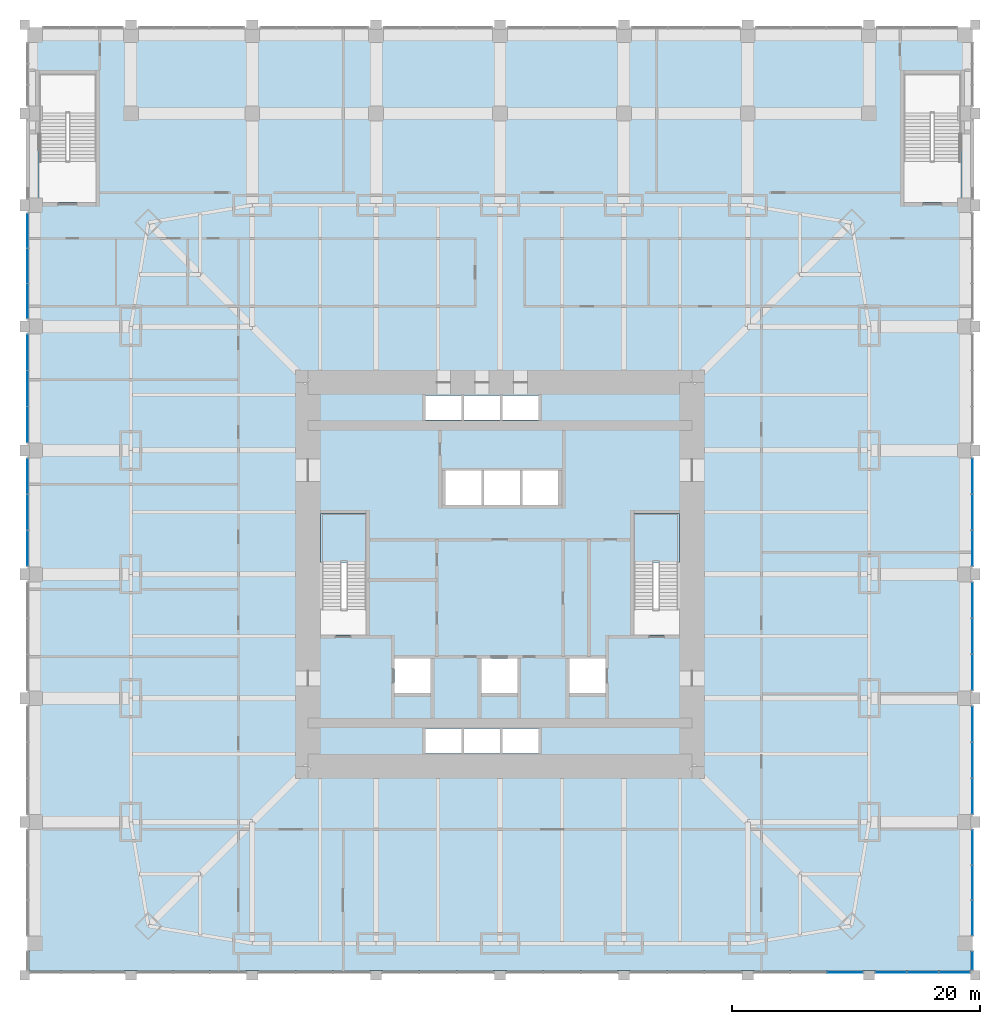
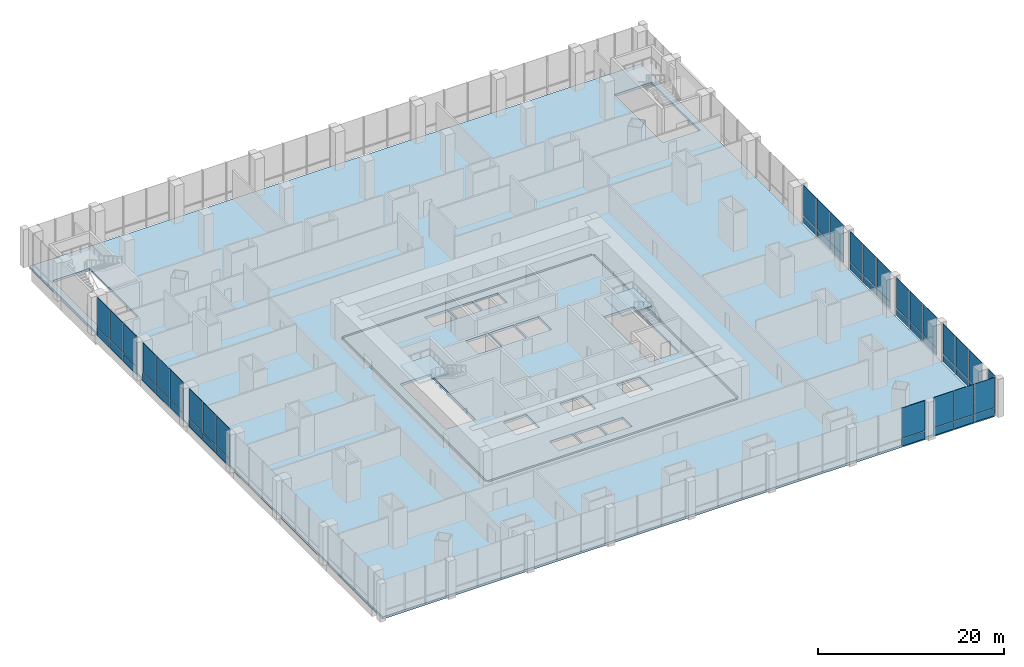
# One storey, part 14 of 24: 52 plates, 4 slabs, 12 elements without a shape of their own.
"""IFC4 building model written with IfcOpenShell, lengths in metres."""

from ifc_helpers import new_model, si_unit, direction, frame, origin, origin_2d, place, context, subcontext, project, spatial, polyline, rectangle, outline, extrude, material, layer, layer_set, type_object, element, aggregate, save


model = new_model("IFC4")

# Units and contexts
model_context = context("Model", 3, precision=1e-05, world=origin(), true_north=direction((0.0, 1.0)))
body_context = subcontext(model_context, "Body", "Model", "MODEL_VIEW")
ifc_project = project(units=[si_unit("LENGTHUNIT", "METRE"), si_unit("AREAUNIT", "SQUARE_METRE"), si_unit("VOLUMEUNIT", "CUBIC_METRE"), si_unit("PLANEANGLEUNIT", "RADIAN"), si_unit("MASSUNIT", "GRAM", prefix="KILO")], contexts=[model_context])

# Site, building, storey
site_placement = place(None, origin())
site = spatial("IfcSite", under=ifc_project, at=site_placement, CompositionType="ELEMENT")
building_placement = place(site_placement, origin())
building = spatial("IfcBuilding", under=site, at=building_placement, Name="Khuree Lantern Residences", CompositionType="ELEMENT")
storey_placement = place(building_placement, frame((0.0, 0.0, 11.0)))
storey = spatial("IfcBuildingStorey", under=building, at=storey_placement, Name="L02", CompositionType="ELEMENT", Elevation=11.0)

# Slabs
ifc_material_1 = material(Name="Concrete C35/45", Category="concrete")
ifc_layer_1 = layer(ifc_material_1, 0.300048828125)
ifc_layer_set_1 = layer_set([ifc_layer_1], Name="CFL300 CORE FLOOR SLAB 300")
slab_type_1 = type_object("IfcSlabType", Name="CFL300 CORE FLOOR SLAB 300", PredefinedType="FLOOR", material=ifc_layer_set_1)
slab_1_placement = place(storey_placement, frame((0.0, 0.0, -0.300048828125)))
element("IfcSlab", 1, at=slab_1_placement, inside=storey, type_object=slab_type_1, Name="Core floor L02", PredefinedType="FLOOR", context=body_context, shape_type="SweptSolid", body=[
    extrude(outline(polyline([(-15.5, -15.5), (-15.5, 15.5), (15.5, 15.5), (15.5, -15.5), (-15.5, -15.5)]), holes=[polyline([(14.5, 4.89990234375), (10.800048828125, 4.89990234375), (10.800048828125, -4.89990234375), (14.5, -4.89990234375), (14.5, 4.89990234375)]), polyline([(8.5, -6.800048828125), (5.60009765625, -6.800048828125), (5.60009765625, -9.60009765625), (8.5, -9.60009765625), (8.5, -6.800048828125)]), polyline([(4.699951171875, 8.39990234375), (1.800048828125, 8.39990234375), (1.800048828125, 5.60009765625), (4.699951171875, 5.60009765625), (4.699951171875, 8.39990234375)]), polyline([(3.10009765625, -12.449951171875), (0.199951171875, -12.449951171875), (0.199951171875, -14.449951171875), (3.10009765625, -14.449951171875), (3.10009765625, -12.449951171875)]), polyline([(3.10009765625, 14.449951171875), (0.199951171875, 14.449951171875), (0.199951171875, 12.449951171875), (3.10009765625, 12.449951171875), (3.10009765625, 14.449951171875)]), polyline([(1.60009765625, 8.39990234375), (-1.300048828125, 8.39990234375), (-1.300048828125, 5.60009765625), (1.60009765625, 5.60009765625), (1.60009765625, 8.39990234375)]), polyline([(1.39990234375, -6.800048828125), (-1.5, -6.800048828125), (-1.5, -9.60009765625), (1.39990234375, -9.60009765625), (1.39990234375, -6.800048828125)]), polyline([(0.0, -12.449951171875), (-2.89990234375, -12.449951171875), (-2.89990234375, -14.449951171875), (0.0, -14.449951171875), (0.0, -12.449951171875)]), polyline([(0.0, 14.449951171875), (-2.89990234375, 14.449951171875), (-2.89990234375, 12.449951171875), (0.0, 12.449951171875), (0.0, 14.449951171875)]), polyline([(-1.5, 8.39990234375), (-4.39990234375, 8.39990234375), (-4.39990234375, 5.60009765625), (-1.5, 5.60009765625), (-1.5, 8.39990234375)]), polyline([(-3.10009765625, -12.449951171875), (-6.0, -12.449951171875), (-6.0, -14.449951171875), (-3.10009765625, -14.449951171875), (-3.10009765625, -12.449951171875)]), polyline([(-3.10009765625, 14.449951171875), (-6.0, 14.449951171875), (-6.0, 12.449951171875), (-3.10009765625, 12.449951171875), (-3.10009765625, 14.449951171875)]), polyline([(-5.60009765625, -6.800048828125), (-8.5, -6.800048828125), (-8.5, -9.60009765625), (-5.60009765625, -9.60009765625), (-5.60009765625, -6.800048828125)]), polyline([(-10.800048828125, 4.89990234375), (-14.5, 4.89990234375), (-14.5, -4.89990234375), (-10.800048828125, -4.89990234375), (-10.800048828125, 4.89990234375)])]), origin(), (0.0, 0.0, 1.0), 0.300048828125),
])
ifc_layer_2 = layer(ifc_material_1, 0.300048828125)
ifc_layer_set_2 = layer_set([ifc_layer_2], Name="FS300 FLOOR SLAB 300")
slab_type_2 = type_object("IfcSlabType", Name="FS300 FLOOR SLAB 300", PredefinedType="FLOOR", material=ifc_layer_set_2)
slab_2_placement = place(storey_placement, frame((0.0, 0.0, -0.300048828125)))
element("IfcSlab", 2, at=slab_2_placement, inside=storey, type_object=slab_type_2, Name="Floor slab L02", PredefinedType="FLOOR", context=body_context, shape_type="SweptSolid", body=[
    extrude(outline(polyline([(-38.0, 44.0), (38.0, 44.0), (38.0, -32.0), (-38.0, -32.0), (-38.0, 44.0)]), holes=[polyline([(37.199951171875, 40.39990234375), (32.60009765625, 40.39990234375), (32.60009765625, 30.0), (37.199951171875, 30.0), (37.199951171875, 40.39990234375)]), polyline([(15.75, 15.5), (15.5, 15.5), (15.5, 15.75), (-15.5, 15.75), (-15.5, 15.5), (-15.75, 15.5), (-15.75, -15.5), (-15.5, -15.5), (-15.5, -15.75), (15.5, -15.75), (15.5, -15.5), (15.75, -15.5), (15.75, 15.5)]), polyline([(-32.60009765625, 40.39990234375), (-37.199951171875, 40.39990234375), (-37.199951171875, 30.0), (-32.60009765625, 30.0), (-32.60009765625, 40.39990234375)])]), origin(), (0.0, 0.0, 1.0), 0.300048828125),
])

# Stair, slab
ifc_material_2 = material(Name="Concrete C40/50", Category="concrete")
stair_type = type_object("IfcStairType", Name="STAIR ST1 HALF TURN 3600", PredefinedType="HALF_TURN_STAIR", material=ifc_material_2)
stair_1_placement = place(storey_placement, origin())
stair_1 = element("IfcStair", 3, at=stair_1_placement, inside=storey, type_object=stair_type, Name="Stair ST1", PredefinedType="HALF_TURN_STAIR")
ifc_layer_3 = layer(ifc_material_2, 0.199951171875)
ifc_layer_set_3 = layer_set([ifc_layer_3], Name="STAIR LANDING SL1 200")
slab_type_3 = type_object("IfcSlabType", Name="STAIR LANDING SL1 200", PredefinedType="LANDING", material=ifc_layer_set_3)
slab_3_placement = place(storey_placement, frame((0.0, 0.0, 2.300048828125)))
slab_3 = element("IfcSlab", 4, at=slab_3_placement, type_object=slab_type_3, Name="ST1 landing 2", PredefinedType="LANDING", context=body_context, shape_type="SweptSolid", body=[
    extrude(outline(polyline([(-14.5, 0.9599609375), (-14.5, 4.89990234375), (-10.800048828125, 4.89990234375), (-10.800048828125, 0.9599609375), (-14.5, 0.9599609375)])), origin(), (0.0, 0.0, 1.0), 0.199951171875),
])
aggregate(stair_1, [slab_3])

stair_2_placement = place(storey_placement, origin())
stair_2 = element("IfcStair", 5, at=stair_2_placement, inside=storey, type_object=stair_type, Name="Stair ST2", PredefinedType="HALF_TURN_STAIR")
slab_4_placement = place(storey_placement, frame((0.0, 0.0, 2.300048828125)))
slab_4 = element("IfcSlab", 6, at=slab_4_placement, type_object=slab_type_3, Name="ST2 landing 2", PredefinedType="LANDING", context=body_context, shape_type="SweptSolid", body=[
    extrude(outline(polyline([(14.5, 4.89990234375), (14.5, 0.9599609375), (10.800048828125, 0.9599609375), (10.800048828125, 4.89990234375), (14.5, 4.89990234375)])), origin(), (0.0, 0.0, 1.0), 0.199951171875),
])
aggregate(stair_2, [slab_4])

# Curtain wall, plate
ifc_material_3 = material(Name="Bronze anodised aluminium", Category="aluminium")
curtain_wall_type = type_object("IfcCurtainWallType", Name="CW-P PODIUM STOREFRONT CURTAIN WALL", PredefinedType="USERDEFINED", material=ifc_material_3)
curtain_wall_1_placement = place(storey_placement, origin())
curtain_wall_1 = element("IfcCurtainWall", 7, at=curtain_wall_1_placement, inside=storey, type_object=curtain_wall_type, Name="L02 SOUTH FACE BAY 7 STOREFRONT", ObjectType="Storefront curtain wall", PredefinedType="USERDEFINED")
ifc_material_4 = material(Name="Bronze tinted laminated triple glazing", Category="glass")
ifc_layer_4 = layer(ifc_material_4, 0.0400390625)
ifc_layer_set_4 = layer_set([ifc_layer_4], Name="STOREFRONT GLASS PANEL P9")
plate_type_1 = type_object("IfcPlateType", Name="STOREFRONT GLASS PANEL P9", PredefinedType="CURTAIN_PANEL", material=ifc_layer_set_4)
plate_1_placement = place(storey_placement, frame((27.841552734375, -32.14990234375, 1.03759765625), z_axis=(0.0, 0.0, 1.0), x_axis=(1.0, 0.0, 0.0)))
plate_1 = element("IfcPlate", 8, at=plate_1_placement, type_object=plate_type_1, Name="L02 SOUTH FACE BAY 7 PANEL 3.2", PredefinedType="CURTAIN_PANEL", context=body_context, shape_type="SweptSolid", body=[
    extrude(rectangle(XDim=2.86669921875, YDim=0.0400390625, at=origin_2d()), origin(), (0.0, 0.0, 1.0), 3.96240234375),
])

# Curtain wall, plates
curtain_wall_2_placement = place(storey_placement, origin())
curtain_wall_2 = element("IfcCurtainWall", 9, at=curtain_wall_2_placement, inside=storey, type_object=curtain_wall_type, Name="L02 SOUTH FACE BAY 8 STOREFRONT", ObjectType="Storefront curtain wall", PredefinedType="USERDEFINED")
plate_2_placement = place(storey_placement, frame((31.566650390625, -32.14990234375, 1.03759765625), z_axis=(0.0, 0.0, 1.0), x_axis=(1.0, 0.0, 0.0)))
plate_2 = element("IfcPlate", 10, at=plate_2_placement, type_object=plate_type_1, Name="L02 SOUTH FACE BAY 8 PANEL 1.2", PredefinedType="CURTAIN_PANEL", context=body_context, shape_type="SweptSolid", body=[
    extrude(rectangle(XDim=2.4833984375, YDim=0.0400390625, at=origin_2d()), origin(), (0.0, 0.0, 1.0), 3.96240234375),
])
plate_3_placement = place(storey_placement, frame((34.125, -32.14990234375, 1.03759765625), z_axis=(0.0, 0.0, 1.0), x_axis=(1.0, 0.0, 0.0)))
plate_3 = element("IfcPlate", 11, at=plate_3_placement, type_object=plate_type_1, Name="L02 SOUTH FACE BAY 8 PANEL 2.2", PredefinedType="CURTAIN_PANEL", context=body_context, shape_type="SweptSolid", body=[
    extrude(rectangle(XDim=2.4833984375, YDim=0.0400390625, at=origin_2d()), origin(), (0.0, 0.0, 1.0), 3.96240234375),
])
plate_4_placement = place(storey_placement, frame((36.683349609375, -32.14990234375, 1.03759765625), z_axis=(0.0, 0.0, 1.0), x_axis=(1.0, 0.0, 0.0)))
plate_4 = element("IfcPlate", 12, at=plate_4_placement, type_object=plate_type_1, Name="L02 SOUTH FACE BAY 8 PANEL 3.2", PredefinedType="CURTAIN_PANEL", context=body_context, shape_type="SweptSolid", body=[
    extrude(rectangle(XDim=2.4833984375, YDim=0.0400390625, at=origin_2d()), origin(), (0.0, 0.0, 1.0), 3.96240234375),
])

# Curtain wall, plate
curtain_wall_3_placement = place(storey_placement, origin())
curtain_wall_3 = element("IfcCurtainWall", 13, at=curtain_wall_3_placement, inside=storey, type_object=curtain_wall_type, Name="L02 EAST FACE BAY 1 STOREFRONT", ObjectType="Storefront curtain wall", PredefinedType="USERDEFINED")
plate_5_placement = place(storey_placement, frame((38.14990234375, -31.199951171875, 1.03759765625), z_axis=(0.0, 0.0, 1.0), x_axis=(0.0, 1.0, 0.0)))
plate_5 = element("IfcPlate", 14, at=plate_5_placement, type_object=plate_type_1, Name="L02 EAST FACE BAY 1 PANEL 1.2", PredefinedType="CURTAIN_PANEL", context=body_context, shape_type="SweptSolid", body=[
    extrude(rectangle(XDim=1.449951171875, YDim=0.0400390625, at=origin_2d()), origin(), (0.0, 0.0, 1.0), 3.96240234375),
])

# Curtain wall, plates
curtain_wall_4_placement = place(storey_placement, origin())
curtain_wall_4 = element("IfcCurtainWall", 15, at=curtain_wall_4_placement, inside=storey, type_object=curtain_wall_type, Name="L02 EAST FACE BAY 1B STOREFRONT", ObjectType="Storefront curtain wall", PredefinedType="USERDEFINED")
plate_6_placement = place(storey_placement, frame((38.14990234375, -27.74169921875, 1.03759765625), z_axis=(0.0, 0.0, 1.0), x_axis=(0.0, 1.0, 0.0)))
plate_6 = element("IfcPlate", 16, at=plate_6_placement, type_object=plate_type_1, Name="L02 EAST FACE BAY 1B PANEL 1.2", PredefinedType="CURTAIN_PANEL", context=body_context, shape_type="SweptSolid", body=[
    extrude(rectangle(XDim=2.7666015625, YDim=0.0400390625, at=origin_2d()), origin(), (0.0, 0.0, 1.0), 3.96240234375),
])
plate_7_placement = place(storey_placement, frame((38.14990234375, -24.89990234375, 1.03759765625), z_axis=(0.0, 0.0, 1.0), x_axis=(0.0, 1.0, 0.0)))
plate_7 = element("IfcPlate", 17, at=plate_7_placement, type_object=plate_type_1, Name="L02 EAST FACE BAY 1B PANEL 2.2", PredefinedType="CURTAIN_PANEL", context=body_context, shape_type="SweptSolid", body=[
    extrude(rectangle(XDim=2.7666015625, YDim=0.0400390625, at=origin_2d()), origin(), (0.0, 0.0, 1.0), 3.96240234375),
])
plate_8_placement = place(storey_placement, frame((38.14990234375, -22.058349609375, 1.03759765625), z_axis=(0.0, 0.0, 1.0), x_axis=(0.0, 1.0, 0.0)))
plate_8 = element("IfcPlate", 18, at=plate_8_placement, type_object=plate_type_1, Name="L02 EAST FACE BAY 1B PANEL 3.2", PredefinedType="CURTAIN_PANEL", context=body_context, shape_type="SweptSolid", body=[
    extrude(rectangle(XDim=2.7666015625, YDim=0.0400390625, at=origin_2d()), origin(), (0.0, 0.0, 1.0), 3.96240234375),
])

curtain_wall_5_placement = place(storey_placement, origin())
curtain_wall_5 = element("IfcCurtainWall", 19, at=curtain_wall_5_placement, inside=storey, type_object=curtain_wall_type, Name="L02 EAST FACE BAY 2 STOREFRONT", ObjectType="Storefront curtain wall", PredefinedType="USERDEFINED")
plate_9_placement = place(storey_placement, frame((38.14990234375, -17.908447265625, 1.03759765625), z_axis=(0.0, 0.0, 1.0), x_axis=(0.0, 1.0, 0.0)))
plate_9 = element("IfcPlate", 20, at=plate_9_placement, type_object=plate_type_1, Name="L02 EAST FACE BAY 2 PANEL 1.2", PredefinedType="CURTAIN_PANEL", context=body_context, shape_type="SweptSolid", body=[
    extrude(rectangle(XDim=2.833251953125, YDim=0.0400390625, at=origin_2d()), origin(), (0.0, 0.0, 1.0), 3.96240234375),
])
plate_10_placement = place(storey_placement, frame((38.14990234375, -15.0, 1.03759765625), z_axis=(0.0, 0.0, 1.0), x_axis=(0.0, 1.0, 0.0)))
plate_10 = element("IfcPlate", 21, at=plate_10_placement, type_object=plate_type_1, Name="L02 EAST FACE BAY 2 PANEL 2.2", PredefinedType="CURTAIN_PANEL", context=body_context, shape_type="SweptSolid", body=[
    extrude(rectangle(XDim=2.833251953125, YDim=0.0400390625, at=origin_2d()), origin(), (0.0, 0.0, 1.0), 3.96240234375),
])
plate_11_placement = place(storey_placement, frame((38.14990234375, -12.091552734375, 1.03759765625), z_axis=(0.0, 0.0, 1.0), x_axis=(0.0, 1.0, 0.0)))
plate_11 = element("IfcPlate", 22, at=plate_11_placement, type_object=plate_type_1, Name="L02 EAST FACE BAY 2 PANEL 3.2", PredefinedType="CURTAIN_PANEL", context=body_context, shape_type="SweptSolid", body=[
    extrude(rectangle(XDim=2.833251953125, YDim=0.0400390625, at=origin_2d()), origin(), (0.0, 0.0, 1.0), 3.96240234375),
])

curtain_wall_6_placement = place(storey_placement, origin())
curtain_wall_6 = element("IfcCurtainWall", 23, at=curtain_wall_6_placement, inside=storey, type_object=curtain_wall_type, Name="L02 EAST FACE BAY 3 STOREFRONT", ObjectType="Storefront curtain wall", PredefinedType="USERDEFINED")
plate_12_placement = place(storey_placement, frame((38.14990234375, -7.908447265625, 1.03759765625), z_axis=(0.0, 0.0, 1.0), x_axis=(0.0, 1.0, 0.0)))
plate_12 = element("IfcPlate", 24, at=plate_12_placement, type_object=plate_type_1, Name="L02 EAST FACE BAY 3 PANEL 1.2", PredefinedType="CURTAIN_PANEL", context=body_context, shape_type="SweptSolid", body=[
    extrude(rectangle(XDim=2.833251953125, YDim=0.0400390625, at=origin_2d()), origin(), (0.0, 0.0, 1.0), 3.96240234375),
])
plate_13_placement = place(storey_placement, frame((38.14990234375, -5.0, 1.03759765625), z_axis=(0.0, 0.0, 1.0), x_axis=(0.0, 1.0, 0.0)))
plate_13 = element("IfcPlate", 25, at=plate_13_placement, type_object=plate_type_1, Name="L02 EAST FACE BAY 3 PANEL 2.2", PredefinedType="CURTAIN_PANEL", context=body_context, shape_type="SweptSolid", body=[
    extrude(rectangle(XDim=2.833251953125, YDim=0.0400390625, at=origin_2d()), origin(), (0.0, 0.0, 1.0), 3.96240234375),
])
plate_14_placement = place(storey_placement, frame((38.14990234375, -2.091552734375, 1.03759765625), z_axis=(0.0, 0.0, 1.0), x_axis=(0.0, 1.0, 0.0)))
plate_14 = element("IfcPlate", 26, at=plate_14_placement, type_object=plate_type_1, Name="L02 EAST FACE BAY 3 PANEL 3.2", PredefinedType="CURTAIN_PANEL", context=body_context, shape_type="SweptSolid", body=[
    extrude(rectangle(XDim=2.833251953125, YDim=0.0400390625, at=origin_2d()), origin(), (0.0, 0.0, 1.0), 3.96240234375),
])

curtain_wall_7_placement = place(storey_placement, origin())
curtain_wall_7 = element("IfcCurtainWall", 27, at=curtain_wall_7_placement, inside=storey, type_object=curtain_wall_type, Name="L02 EAST FACE BAY 4 STOREFRONT", ObjectType="Storefront curtain wall", PredefinedType="USERDEFINED")
plate_15_placement = place(storey_placement, frame((38.14990234375, 2.091552734375, 1.03759765625), z_axis=(0.0, 0.0, 1.0), x_axis=(0.0, 1.0, 0.0)))
plate_15 = element("IfcPlate", 28, at=plate_15_placement, type_object=plate_type_1, Name="L02 EAST FACE BAY 4 PANEL 1.2", PredefinedType="CURTAIN_PANEL", context=body_context, shape_type="SweptSolid", body=[
    extrude(rectangle(XDim=2.833251953125, YDim=0.0400390625, at=origin_2d()), origin(), (0.0, 0.0, 1.0), 3.96240234375),
])
plate_16_placement = place(storey_placement, frame((38.14990234375, 5.0, 1.03759765625), z_axis=(0.0, 0.0, 1.0), x_axis=(0.0, 1.0, 0.0)))
plate_16 = element("IfcPlate", 29, at=plate_16_placement, type_object=plate_type_1, Name="L02 EAST FACE BAY 4 PANEL 2.2", PredefinedType="CURTAIN_PANEL", context=body_context, shape_type="SweptSolid", body=[
    extrude(rectangle(XDim=2.833251953125, YDim=0.0400390625, at=origin_2d()), origin(), (0.0, 0.0, 1.0), 3.96240234375),
])
plate_17_placement = place(storey_placement, frame((38.14990234375, 7.908447265625, 1.03759765625), z_axis=(0.0, 0.0, 1.0), x_axis=(0.0, 1.0, 0.0)))
plate_17 = element("IfcPlate", 30, at=plate_17_placement, type_object=plate_type_1, Name="L02 EAST FACE BAY 4 PANEL 3.2", PredefinedType="CURTAIN_PANEL", context=body_context, shape_type="SweptSolid", body=[
    extrude(rectangle(XDim=2.833251953125, YDim=0.0400390625, at=origin_2d()), origin(), (0.0, 0.0, 1.0), 3.96240234375),
])

curtain_wall_8_placement = place(storey_placement, origin())
curtain_wall_8 = element("IfcCurtainWall", 31, at=curtain_wall_8_placement, inside=storey, type_object=curtain_wall_type, Name="L02 WEST FACE BAY 3 STOREFRONT", ObjectType="Storefront curtain wall", PredefinedType="USERDEFINED")
plate_18_placement = place(storey_placement, frame((-38.14990234375, 27.74169921875, 1.03759765625), z_axis=(0.0, 0.0, 1.0), x_axis=(0.0, -1.0, 0.0)))
plate_18 = element("IfcPlate", 32, at=plate_18_placement, type_object=plate_type_1, Name="L02 WEST FACE BAY 3 PANEL 1.2", PredefinedType="CURTAIN_PANEL", context=body_context, shape_type="SweptSolid", body=[
    extrude(rectangle(XDim=2.7666015625, YDim=0.0400390625, at=origin_2d()), origin(), (0.0, 0.0, 1.0), 3.96240234375),
])
plate_19_placement = place(storey_placement, frame((-38.14990234375, 24.89990234375, 1.03759765625), z_axis=(0.0, 0.0, 1.0), x_axis=(0.0, -1.0, 0.0)))
plate_19 = element("IfcPlate", 33, at=plate_19_placement, type_object=plate_type_1, Name="L02 WEST FACE BAY 3 PANEL 2.2", PredefinedType="CURTAIN_PANEL", context=body_context, shape_type="SweptSolid", body=[
    extrude(rectangle(XDim=2.7666015625, YDim=0.0400390625, at=origin_2d()), origin(), (0.0, 0.0, 1.0), 3.96240234375),
])
plate_20_placement = place(storey_placement, frame((-38.14990234375, 22.058349609375, 1.03759765625), z_axis=(0.0, 0.0, 1.0), x_axis=(0.0, -1.0, 0.0)))
plate_20 = element("IfcPlate", 34, at=plate_20_placement, type_object=plate_type_1, Name="L02 WEST FACE BAY 3 PANEL 3.2", PredefinedType="CURTAIN_PANEL", context=body_context, shape_type="SweptSolid", body=[
    extrude(rectangle(XDim=2.7666015625, YDim=0.0400390625, at=origin_2d()), origin(), (0.0, 0.0, 1.0), 3.96240234375),
])

curtain_wall_9_placement = place(storey_placement, origin())
curtain_wall_9 = element("IfcCurtainWall", 35, at=curtain_wall_9_placement, inside=storey, type_object=curtain_wall_type, Name="L02 WEST FACE BAY 4 STOREFRONT", ObjectType="Storefront curtain wall", PredefinedType="USERDEFINED")
plate_21_placement = place(storey_placement, frame((-38.14990234375, 17.908447265625, 1.03759765625), z_axis=(0.0, 0.0, 1.0), x_axis=(0.0, -1.0, 0.0)))
plate_21 = element("IfcPlate", 36, at=plate_21_placement, type_object=plate_type_1, Name="L02 WEST FACE BAY 4 PANEL 1.2", PredefinedType="CURTAIN_PANEL", context=body_context, shape_type="SweptSolid", body=[
    extrude(rectangle(XDim=2.833251953125, YDim=0.0400390625, at=origin_2d()), origin(), (0.0, 0.0, 1.0), 3.96240234375),
])
plate_22_placement = place(storey_placement, frame((-38.14990234375, 15.0, 1.03759765625), z_axis=(0.0, 0.0, 1.0), x_axis=(0.0, -1.0, 0.0)))
plate_22 = element("IfcPlate", 37, at=plate_22_placement, type_object=plate_type_1, Name="L02 WEST FACE BAY 4 PANEL 2.2", PredefinedType="CURTAIN_PANEL", context=body_context, shape_type="SweptSolid", body=[
    extrude(rectangle(XDim=2.833251953125, YDim=0.0400390625, at=origin_2d()), origin(), (0.0, 0.0, 1.0), 3.96240234375),
])
plate_23_placement = place(storey_placement, frame((-38.14990234375, 12.091552734375, 1.03759765625), z_axis=(0.0, 0.0, 1.0), x_axis=(0.0, -1.0, 0.0)))
plate_23 = element("IfcPlate", 38, at=plate_23_placement, type_object=plate_type_1, Name="L02 WEST FACE BAY 4 PANEL 3.2", PredefinedType="CURTAIN_PANEL", context=body_context, shape_type="SweptSolid", body=[
    extrude(rectangle(XDim=2.833251953125, YDim=0.0400390625, at=origin_2d()), origin(), (0.0, 0.0, 1.0), 3.96240234375),
])

curtain_wall_10_placement = place(storey_placement, origin())
curtain_wall_10 = element("IfcCurtainWall", 39, at=curtain_wall_10_placement, inside=storey, type_object=curtain_wall_type, Name="L02 WEST FACE BAY 5 STOREFRONT", ObjectType="Storefront curtain wall", PredefinedType="USERDEFINED")
plate_24_placement = place(storey_placement, frame((-38.14990234375, 7.908447265625, 1.03759765625), z_axis=(0.0, 0.0, 1.0), x_axis=(0.0, -1.0, 0.0)))
plate_24 = element("IfcPlate", 40, at=plate_24_placement, type_object=plate_type_1, Name="L02 WEST FACE BAY 5 PANEL 1.2", PredefinedType="CURTAIN_PANEL", context=body_context, shape_type="SweptSolid", body=[
    extrude(rectangle(XDim=2.833251953125, YDim=0.0400390625, at=origin_2d()), origin(), (0.0, 0.0, 1.0), 3.96240234375),
])
plate_25_placement = place(storey_placement, frame((-38.14990234375, 5.0, 1.03759765625), z_axis=(0.0, 0.0, 1.0), x_axis=(0.0, -1.0, 0.0)))
plate_25 = element("IfcPlate", 41, at=plate_25_placement, type_object=plate_type_1, Name="L02 WEST FACE BAY 5 PANEL 2.2", PredefinedType="CURTAIN_PANEL", context=body_context, shape_type="SweptSolid", body=[
    extrude(rectangle(XDim=2.833251953125, YDim=0.0400390625, at=origin_2d()), origin(), (0.0, 0.0, 1.0), 3.96240234375),
])
plate_26_placement = place(storey_placement, frame((-38.14990234375, 2.091552734375, 1.03759765625), z_axis=(0.0, 0.0, 1.0), x_axis=(0.0, -1.0, 0.0)))
plate_26 = element("IfcPlate", 42, at=plate_26_placement, type_object=plate_type_1, Name="L02 WEST FACE BAY 5 PANEL 3.2", PredefinedType="CURTAIN_PANEL", context=body_context, shape_type="SweptSolid", body=[
    extrude(rectangle(XDim=2.833251953125, YDim=0.0400390625, at=origin_2d()), origin(), (0.0, 0.0, 1.0), 3.96240234375),
])

# Plate
ifc_material_5 = material(Name="Bronze anodised aluminium insulated spandrel", Category="aluminium")
ifc_layer_5 = layer(ifc_material_5, 0.06005859375)
ifc_layer_set_5 = layer_set([ifc_layer_5], Name="STOREFRONT SPANDREL PANEL P10")
plate_type_2 = type_object("IfcPlateType", Name="STOREFRONT SPANDREL PANEL P10", PredefinedType="CURTAIN_PANEL", material=ifc_layer_set_5)
plate_27_placement = place(storey_placement, frame((27.841552734375, -32.14990234375, 0.0), z_axis=(0.0, 0.0, 1.0), x_axis=(1.0, 0.0, 0.0)))
plate_27 = element("IfcPlate", 43, at=plate_27_placement, type_object=plate_type_2, Name="L02 SOUTH FACE BAY 7 PANEL 3.1", PredefinedType="CURTAIN_PANEL", context=body_context, shape_type="SweptSolid", body=[
    extrude(rectangle(XDim=2.86669921875, YDim=0.06005859375, at=origin_2d()), origin(), (0.0, 0.0, 1.0), 0.96240234375),
])

aggregate(curtain_wall_1, [plate_27, plate_1])

plate_28_placement = place(storey_placement, frame((31.566650390625, -32.14990234375, 0.0), z_axis=(0.0, 0.0, 1.0), x_axis=(1.0, 0.0, 0.0)))
plate_28 = element("IfcPlate", 44, at=plate_28_placement, type_object=plate_type_2, Name="L02 SOUTH FACE BAY 8 PANEL 1.1", PredefinedType="CURTAIN_PANEL", context=body_context, shape_type="SweptSolid", body=[
    extrude(rectangle(XDim=2.4833984375, YDim=0.06005859375, at=origin_2d()), origin(), (0.0, 0.0, 1.0), 0.96240234375),
])

plate_29_placement = place(storey_placement, frame((34.125, -32.14990234375, 0.0), z_axis=(0.0, 0.0, 1.0), x_axis=(1.0, 0.0, 0.0)))
plate_29 = element("IfcPlate", 45, at=plate_29_placement, type_object=plate_type_2, Name="L02 SOUTH FACE BAY 8 PANEL 2.1", PredefinedType="CURTAIN_PANEL", context=body_context, shape_type="SweptSolid", body=[
    extrude(rectangle(XDim=2.4833984375, YDim=0.06005859375, at=origin_2d()), origin(), (0.0, 0.0, 1.0), 0.96240234375),
])

plate_30_placement = place(storey_placement, frame((36.683349609375, -32.14990234375, 0.0), z_axis=(0.0, 0.0, 1.0), x_axis=(1.0, 0.0, 0.0)))
plate_30 = element("IfcPlate", 46, at=plate_30_placement, type_object=plate_type_2, Name="L02 SOUTH FACE BAY 8 PANEL 3.1", PredefinedType="CURTAIN_PANEL", context=body_context, shape_type="SweptSolid", body=[
    extrude(rectangle(XDim=2.4833984375, YDim=0.06005859375, at=origin_2d()), origin(), (0.0, 0.0, 1.0), 0.96240234375),
])

aggregate(curtain_wall_2, [plate_28, plate_2, plate_29, plate_3, plate_30, plate_4])

plate_31_placement = place(storey_placement, frame((38.14990234375, -31.199951171875, 0.0), z_axis=(0.0, 0.0, 1.0), x_axis=(0.0, 1.0, 0.0)))
plate_31 = element("IfcPlate", 47, at=plate_31_placement, type_object=plate_type_2, Name="L02 EAST FACE BAY 1 PANEL 1.1", PredefinedType="CURTAIN_PANEL", context=body_context, shape_type="SweptSolid", body=[
    extrude(rectangle(XDim=1.449951171875, YDim=0.06005859375, at=origin_2d()), origin(), (0.0, 0.0, 1.0), 0.96240234375),
])

aggregate(curtain_wall_3, [plate_31, plate_5])

plate_32_placement = place(storey_placement, frame((38.14990234375, -27.74169921875, 0.0), z_axis=(0.0, 0.0, 1.0), x_axis=(0.0, 1.0, 0.0)))
plate_32 = element("IfcPlate", 48, at=plate_32_placement, type_object=plate_type_2, Name="L02 EAST FACE BAY 1B PANEL 1.1", PredefinedType="CURTAIN_PANEL", context=body_context, shape_type="SweptSolid", body=[
    extrude(rectangle(XDim=2.7666015625, YDim=0.06005859375, at=origin_2d()), origin(), (0.0, 0.0, 1.0), 0.96240234375),
])

plate_33_placement = place(storey_placement, frame((38.14990234375, -24.89990234375, 0.0), z_axis=(0.0, 0.0, 1.0), x_axis=(0.0, 1.0, 0.0)))
plate_33 = element("IfcPlate", 49, at=plate_33_placement, type_object=plate_type_2, Name="L02 EAST FACE BAY 1B PANEL 2.1", PredefinedType="CURTAIN_PANEL", context=body_context, shape_type="SweptSolid", body=[
    extrude(rectangle(XDim=2.7666015625, YDim=0.06005859375, at=origin_2d()), origin(), (0.0, 0.0, 1.0), 0.96240234375),
])

plate_34_placement = place(storey_placement, frame((38.14990234375, -22.058349609375, 0.0), z_axis=(0.0, 0.0, 1.0), x_axis=(0.0, 1.0, 0.0)))
plate_34 = element("IfcPlate", 50, at=plate_34_placement, type_object=plate_type_2, Name="L02 EAST FACE BAY 1B PANEL 3.1", PredefinedType="CURTAIN_PANEL", context=body_context, shape_type="SweptSolid", body=[
    extrude(rectangle(XDim=2.7666015625, YDim=0.06005859375, at=origin_2d()), origin(), (0.0, 0.0, 1.0), 0.96240234375),
])

aggregate(curtain_wall_4, [plate_32, plate_6, plate_33, plate_7, plate_34, plate_8])

plate_35_placement = place(storey_placement, frame((38.14990234375, -17.908447265625, 0.0), z_axis=(0.0, 0.0, 1.0), x_axis=(0.0, 1.0, 0.0)))
plate_35 = element("IfcPlate", 51, at=plate_35_placement, type_object=plate_type_2, Name="L02 EAST FACE BAY 2 PANEL 1.1", PredefinedType="CURTAIN_PANEL", context=body_context, shape_type="SweptSolid", body=[
    extrude(rectangle(XDim=2.833251953125, YDim=0.06005859375, at=origin_2d()), origin(), (0.0, 0.0, 1.0), 0.96240234375),
])

plate_36_placement = place(storey_placement, frame((38.14990234375, -15.0, 0.0), z_axis=(0.0, 0.0, 1.0), x_axis=(0.0, 1.0, 0.0)))
plate_36 = element("IfcPlate", 52, at=plate_36_placement, type_object=plate_type_2, Name="L02 EAST FACE BAY 2 PANEL 2.1", PredefinedType="CURTAIN_PANEL", context=body_context, shape_type="SweptSolid", body=[
    extrude(rectangle(XDim=2.833251953125, YDim=0.06005859375, at=origin_2d()), origin(), (0.0, 0.0, 1.0), 0.96240234375),
])

plate_37_placement = place(storey_placement, frame((38.14990234375, -12.091552734375, 0.0), z_axis=(0.0, 0.0, 1.0), x_axis=(0.0, 1.0, 0.0)))
plate_37 = element("IfcPlate", 53, at=plate_37_placement, type_object=plate_type_2, Name="L02 EAST FACE BAY 2 PANEL 3.1", PredefinedType="CURTAIN_PANEL", context=body_context, shape_type="SweptSolid", body=[
    extrude(rectangle(XDim=2.833251953125, YDim=0.06005859375, at=origin_2d()), origin(), (0.0, 0.0, 1.0), 0.96240234375),
])

aggregate(curtain_wall_5, [plate_35, plate_9, plate_36, plate_10, plate_37, plate_11])

plate_38_placement = place(storey_placement, frame((38.14990234375, -7.908447265625, 0.0), z_axis=(0.0, 0.0, 1.0), x_axis=(0.0, 1.0, 0.0)))
plate_38 = element("IfcPlate", 54, at=plate_38_placement, type_object=plate_type_2, Name="L02 EAST FACE BAY 3 PANEL 1.1", PredefinedType="CURTAIN_PANEL", context=body_context, shape_type="SweptSolid", body=[
    extrude(rectangle(XDim=2.833251953125, YDim=0.06005859375, at=origin_2d()), origin(), (0.0, 0.0, 1.0), 0.96240234375),
])

plate_39_placement = place(storey_placement, frame((38.14990234375, -5.0, 0.0), z_axis=(0.0, 0.0, 1.0), x_axis=(0.0, 1.0, 0.0)))
plate_39 = element("IfcPlate", 55, at=plate_39_placement, type_object=plate_type_2, Name="L02 EAST FACE BAY 3 PANEL 2.1", PredefinedType="CURTAIN_PANEL", context=body_context, shape_type="SweptSolid", body=[
    extrude(rectangle(XDim=2.833251953125, YDim=0.06005859375, at=origin_2d()), origin(), (0.0, 0.0, 1.0), 0.96240234375),
])

plate_40_placement = place(storey_placement, frame((38.14990234375, -2.091552734375, 0.0), z_axis=(0.0, 0.0, 1.0), x_axis=(0.0, 1.0, 0.0)))
plate_40 = element("IfcPlate", 56, at=plate_40_placement, type_object=plate_type_2, Name="L02 EAST FACE BAY 3 PANEL 3.1", PredefinedType="CURTAIN_PANEL", context=body_context, shape_type="SweptSolid", body=[
    extrude(rectangle(XDim=2.833251953125, YDim=0.06005859375, at=origin_2d()), origin(), (0.0, 0.0, 1.0), 0.96240234375),
])

aggregate(curtain_wall_6, [plate_38, plate_12, plate_39, plate_13, plate_40, plate_14])

plate_41_placement = place(storey_placement, frame((38.14990234375, 2.091552734375, 0.0), z_axis=(0.0, 0.0, 1.0), x_axis=(0.0, 1.0, 0.0)))
plate_41 = element("IfcPlate", 57, at=plate_41_placement, type_object=plate_type_2, Name="L02 EAST FACE BAY 4 PANEL 1.1", PredefinedType="CURTAIN_PANEL", context=body_context, shape_type="SweptSolid", body=[
    extrude(rectangle(XDim=2.833251953125, YDim=0.06005859375, at=origin_2d()), origin(), (0.0, 0.0, 1.0), 0.96240234375),
])

plate_42_placement = place(storey_placement, frame((38.14990234375, 5.0, 0.0), z_axis=(0.0, 0.0, 1.0), x_axis=(0.0, 1.0, 0.0)))
plate_42 = element("IfcPlate", 58, at=plate_42_placement, type_object=plate_type_2, Name="L02 EAST FACE BAY 4 PANEL 2.1", PredefinedType="CURTAIN_PANEL", context=body_context, shape_type="SweptSolid", body=[
    extrude(rectangle(XDim=2.833251953125, YDim=0.06005859375, at=origin_2d()), origin(), (0.0, 0.0, 1.0), 0.96240234375),
])

plate_43_placement = place(storey_placement, frame((38.14990234375, 7.908447265625, 0.0), z_axis=(0.0, 0.0, 1.0), x_axis=(0.0, 1.0, 0.0)))
plate_43 = element("IfcPlate", 59, at=plate_43_placement, type_object=plate_type_2, Name="L02 EAST FACE BAY 4 PANEL 3.1", PredefinedType="CURTAIN_PANEL", context=body_context, shape_type="SweptSolid", body=[
    extrude(rectangle(XDim=2.833251953125, YDim=0.06005859375, at=origin_2d()), origin(), (0.0, 0.0, 1.0), 0.96240234375),
])

aggregate(curtain_wall_7, [plate_41, plate_15, plate_42, plate_16, plate_43, plate_17])

plate_44_placement = place(storey_placement, frame((-38.14990234375, 27.74169921875, 0.0), z_axis=(0.0, 0.0, 1.0), x_axis=(0.0, -1.0, 0.0)))
plate_44 = element("IfcPlate", 60, at=plate_44_placement, type_object=plate_type_2, Name="L02 WEST FACE BAY 3 PANEL 1.1", PredefinedType="CURTAIN_PANEL", context=body_context, shape_type="SweptSolid", body=[
    extrude(rectangle(XDim=2.7666015625, YDim=0.06005859375, at=origin_2d()), origin(), (0.0, 0.0, 1.0), 0.96240234375),
])

plate_45_placement = place(storey_placement, frame((-38.14990234375, 24.89990234375, 0.0), z_axis=(0.0, 0.0, 1.0), x_axis=(0.0, -1.0, 0.0)))
plate_45 = element("IfcPlate", 61, at=plate_45_placement, type_object=plate_type_2, Name="L02 WEST FACE BAY 3 PANEL 2.1", PredefinedType="CURTAIN_PANEL", context=body_context, shape_type="SweptSolid", body=[
    extrude(rectangle(XDim=2.7666015625, YDim=0.06005859375, at=origin_2d()), origin(), (0.0, 0.0, 1.0), 0.96240234375),
])

plate_46_placement = place(storey_placement, frame((-38.14990234375, 22.058349609375, 0.0), z_axis=(0.0, 0.0, 1.0), x_axis=(0.0, -1.0, 0.0)))
plate_46 = element("IfcPlate", 62, at=plate_46_placement, type_object=plate_type_2, Name="L02 WEST FACE BAY 3 PANEL 3.1", PredefinedType="CURTAIN_PANEL", context=body_context, shape_type="SweptSolid", body=[
    extrude(rectangle(XDim=2.7666015625, YDim=0.06005859375, at=origin_2d()), origin(), (0.0, 0.0, 1.0), 0.96240234375),
])

aggregate(curtain_wall_8, [plate_44, plate_18, plate_45, plate_19, plate_46, plate_20])

plate_47_placement = place(storey_placement, frame((-38.14990234375, 17.908447265625, 0.0), z_axis=(0.0, 0.0, 1.0), x_axis=(0.0, -1.0, 0.0)))
plate_47 = element("IfcPlate", 63, at=plate_47_placement, type_object=plate_type_2, Name="L02 WEST FACE BAY 4 PANEL 1.1", PredefinedType="CURTAIN_PANEL", context=body_context, shape_type="SweptSolid", body=[
    extrude(rectangle(XDim=2.833251953125, YDim=0.06005859375, at=origin_2d()), origin(), (0.0, 0.0, 1.0), 0.96240234375),
])

plate_48_placement = place(storey_placement, frame((-38.14990234375, 15.0, 0.0), z_axis=(0.0, 0.0, 1.0), x_axis=(0.0, -1.0, 0.0)))
plate_48 = element("IfcPlate", 64, at=plate_48_placement, type_object=plate_type_2, Name="L02 WEST FACE BAY 4 PANEL 2.1", PredefinedType="CURTAIN_PANEL", context=body_context, shape_type="SweptSolid", body=[
    extrude(rectangle(XDim=2.833251953125, YDim=0.06005859375, at=origin_2d()), origin(), (0.0, 0.0, 1.0), 0.96240234375),
])

plate_49_placement = place(storey_placement, frame((-38.14990234375, 12.091552734375, 0.0), z_axis=(0.0, 0.0, 1.0), x_axis=(0.0, -1.0, 0.0)))
plate_49 = element("IfcPlate", 65, at=plate_49_placement, type_object=plate_type_2, Name="L02 WEST FACE BAY 4 PANEL 3.1", PredefinedType="CURTAIN_PANEL", context=body_context, shape_type="SweptSolid", body=[
    extrude(rectangle(XDim=2.833251953125, YDim=0.06005859375, at=origin_2d()), origin(), (0.0, 0.0, 1.0), 0.96240234375),
])

aggregate(curtain_wall_9, [plate_47, plate_21, plate_48, plate_22, plate_49, plate_23])

plate_50_placement = place(storey_placement, frame((-38.14990234375, 7.908447265625, 0.0), z_axis=(0.0, 0.0, 1.0), x_axis=(0.0, -1.0, 0.0)))
plate_50 = element("IfcPlate", 66, at=plate_50_placement, type_object=plate_type_2, Name="L02 WEST FACE BAY 5 PANEL 1.1", PredefinedType="CURTAIN_PANEL", context=body_context, shape_type="SweptSolid", body=[
    extrude(rectangle(XDim=2.833251953125, YDim=0.06005859375, at=origin_2d()), origin(), (0.0, 0.0, 1.0), 0.96240234375),
])

plate_51_placement = place(storey_placement, frame((-38.14990234375, 5.0, 0.0), z_axis=(0.0, 0.0, 1.0), x_axis=(0.0, -1.0, 0.0)))
plate_51 = element("IfcPlate", 67, at=plate_51_placement, type_object=plate_type_2, Name="L02 WEST FACE BAY 5 PANEL 2.1", PredefinedType="CURTAIN_PANEL", context=body_context, shape_type="SweptSolid", body=[
    extrude(rectangle(XDim=2.833251953125, YDim=0.06005859375, at=origin_2d()), origin(), (0.0, 0.0, 1.0), 0.96240234375),
])

plate_52_placement = place(storey_placement, frame((-38.14990234375, 2.091552734375, 0.0), z_axis=(0.0, 0.0, 1.0), x_axis=(0.0, -1.0, 0.0)))
plate_52 = element("IfcPlate", 68, at=plate_52_placement, type_object=plate_type_2, Name="L02 WEST FACE BAY 5 PANEL 3.1", PredefinedType="CURTAIN_PANEL", context=body_context, shape_type="SweptSolid", body=[
    extrude(rectangle(XDim=2.833251953125, YDim=0.06005859375, at=origin_2d()), origin(), (0.0, 0.0, 1.0), 0.96240234375),
])

aggregate(curtain_wall_10, [plate_50, plate_24, plate_51, plate_25, plate_52, plate_26])

save(model, "model.ifc")
